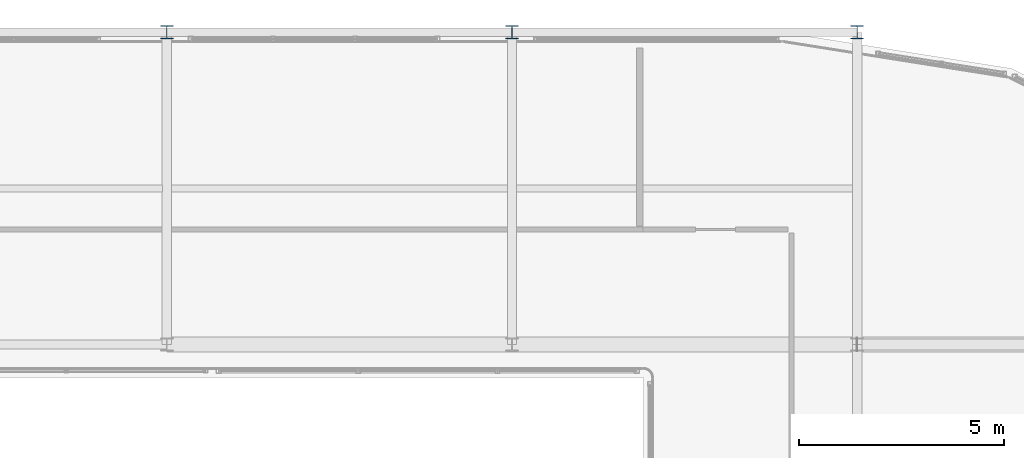
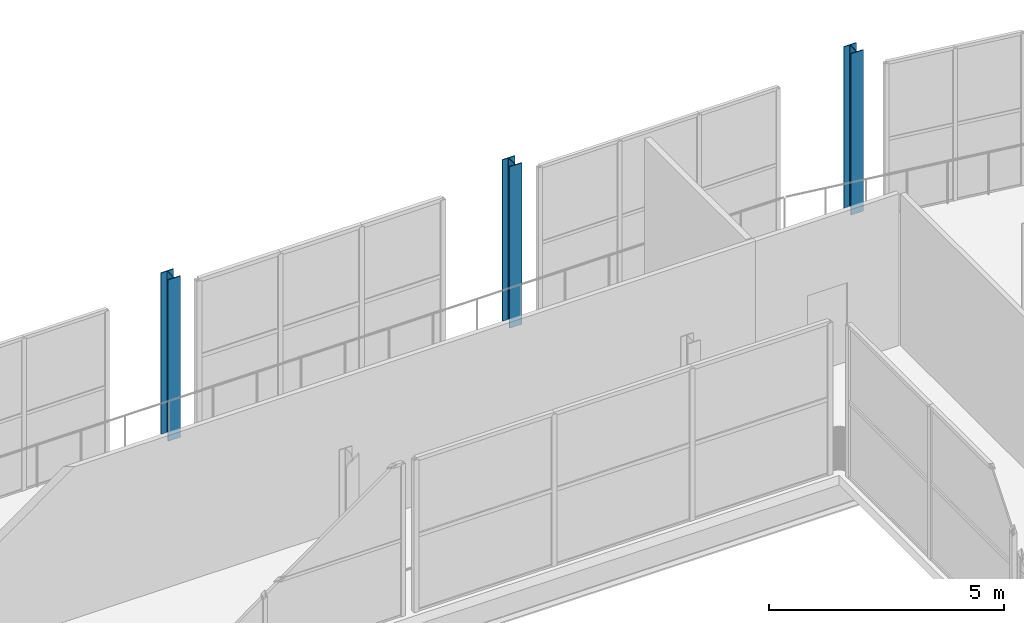
# One storey, part 12 of 151: 3 columns.
"""IFC4 building model written with IfcOpenShell, lengths in metres."""

from ifc_helpers import new_model, si_unit, direction, frame, origin, origin_2d, place, context, subcontext, project, spatial, i_section, extrude, material, material_profile, profile_set, type_object, element, save


model = new_model("IFC4")

# Units and contexts
model_context = context("Model", 3, precision=1e-05, world=origin(), true_north=direction((0.0, 1.0)))
body_context = subcontext(model_context, "Body", "Model", "MODEL_VIEW")
ifc_project = project(units=[si_unit("LENGTHUNIT", "METRE"), si_unit("AREAUNIT", "SQUARE_METRE"), si_unit("VOLUMEUNIT", "CUBIC_METRE"), si_unit("PLANEANGLEUNIT", "RADIAN"), si_unit("MASSUNIT", "GRAM", prefix="KILO")], contexts=[model_context])

# Site, building, storey
site_placement = place(None, origin())
site = spatial("IfcSite", under=ifc_project, at=site_placement, CompositionType="ELEMENT")
building_placement = place(site_placement, origin())
building = spatial("IfcBuilding", under=site, at=building_placement, Name="Zuvorla Pavilion Media Centre", CompositionType="ELEMENT")
storey_placement = place(building_placement, frame((0.0, 0.0, 13.800048828125)))
storey = spatial("IfcBuildingStorey", under=building, at=storey_placement, Name="L03", CompositionType="ELEMENT", Elevation=13.800048828125)

# Columns
ifc_material = material(Name="Steel S355", Category="steel")
ifc_material_profile = material_profile(ifc_material, i_section(OverallWidth=0.30908203125, OverallDepth=0.320556640625, WebThickness=0.013916015625, FlangeThickness=0.021728515625, FilletRadius=0.01513671875, at=origin_2d()), Name="UC 305x305x137")
ifc_profile_set = profile_set([ifc_material_profile], Name="Steel S355")
column_type = type_object("IfcColumnType", Name="COL-UC305", PredefinedType="COLUMN", material=ifc_profile_set)
for number, where, z_axis, x_axis, name in (
    (1, (142.39990234375, 89.60009765625, 0.0), (0.0, 0.0, 1.0), (1.0, 0.0, 0.0), "L03 column C10 913"),
    (2, (150.800048828125, 89.60009765625, 0.0), (0.0, 0.0, 1.0), (1.0, 0.0, 0.0), "L03 column C10 918"),
    (3, (159.199951171875, 89.60009765625, 0.0), (0.0, 0.0, 1.0), (1.0, 0.0, 0.0), "L03 column C10 923"),
):
    element("IfcColumn", number, at=place(storey_placement, frame(where, z_axis=z_axis, x_axis=x_axis)), inside=storey, type_object=column_type, Name=name, PredefinedType="COLUMN", context=body_context, shape_type="SweptSolid", body=[
        extrude(i_section(OverallWidth=0.30908203125, OverallDepth=0.320556640625, WebThickness=0.013916015625, FlangeThickness=0.021728515625, FilletRadius=0.01513671875, at=origin_2d()), origin(), (0.0, 0.0, 1.0), 4.199951171875),
    ])

save(model, "model.ifc")
